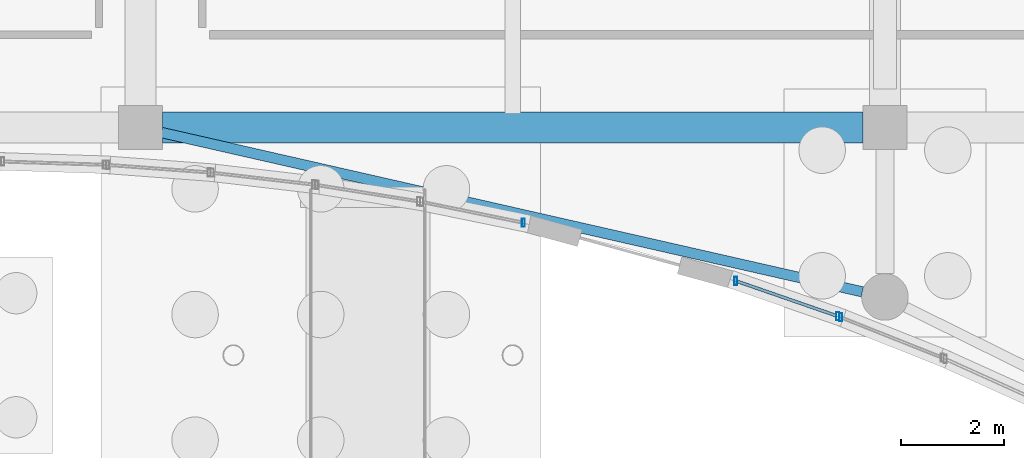
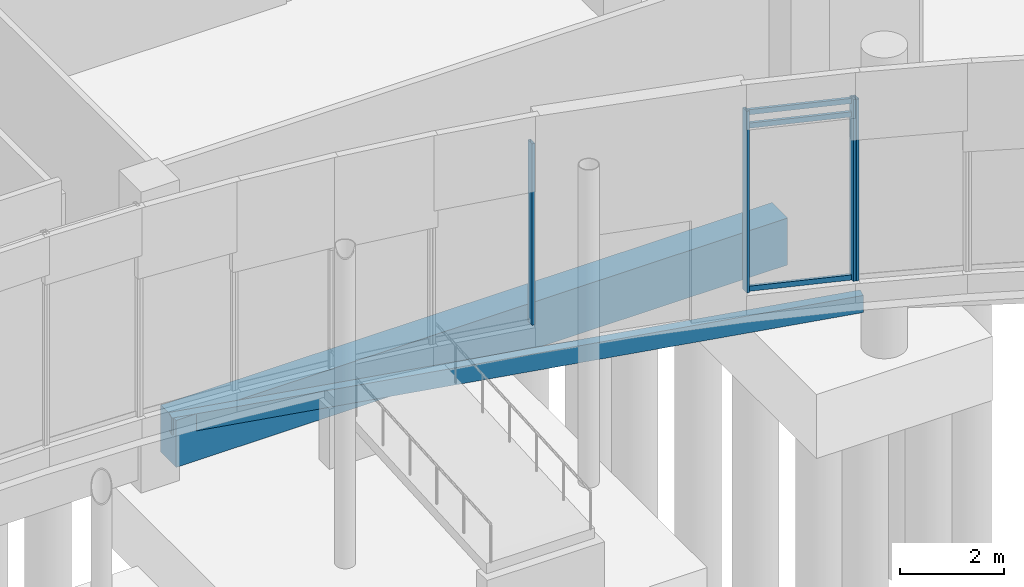
# One storey, part 52 of 192: 7 members, 2 beams, 3 elements without a shape of their own.
"""IFC4 building model written with IfcOpenShell, lengths in metres."""

import ifcopenshell
import ifcopenshell.guid

model = None  # the IFC model being written
_history = None  # IfcOwnerHistory: only IFC2X3 demands one
_inside = {}  # id of a spatial element -> (the spatial element, [elements in it])
_under = {}  # id of a project, library or spatial element -> (it, [spatial elements below it])
_declared = {}  # id of a project -> (the project, [libraries it declares])
_typed = {}  # id of a type object -> (the type object, [elements of that type])
_made_of = {}  # id of a material, layer set ... -> (it, [elements and type objects made of it])


def new_model(schema):
    """Start an empty IFC model of exactly this schema.

    Asked for "IFC4X3", IfcOpenShell would pick the latest addendum, in which some entities
    have other attributes; the version numbers below select the first issue.
    IFC2X3 requires an IfcOwnerHistory on every rooted entity: one is made here for all.
    """
    global model, _history
    if schema == "IFC4X3":
        model = ifcopenshell.file(schema_version=(4, 3, 0, 0))
    else:
        model = ifcopenshell.file(schema=schema)
    _inside.clear()
    _under.clear()
    _declared.clear()
    _typed.clear()
    _made_of.clear()
    _history = None
    if model.schema == "IFC2X3":
        org = make("IfcOrganization", Name="unknown")
        user = make(
            "IfcPersonAndOrganization",
            ThePerson=make("IfcPerson", FamilyName="unknown"),
            TheOrganization=org,
        )
        app = make(
            "IfcApplication",
            ApplicationDeveloper=org,
            Version="unknown",
            ApplicationFullName="unknown",
            ApplicationIdentifier="unknown",
        )
        _history = make(
            "IfcOwnerHistory",
            OwningUser=user,
            OwningApplication=app,
            ChangeAction="ADDED",
            CreationDate=0,
        )
    return model


def make(cls, **values):
    """One entity of the class cls with the attributes given. An attribute that is None is left unset."""
    return model.create_entity(
        cls, **{name: value for name, value in values.items() if value is not None}
    )


def rooted(cls, **values):
    """An entity with a GlobalId (a new one), such as an element, a storey or a relation."""
    return make(cls, GlobalId=ifcopenshell.guid.new(), OwnerHistory=_history, **values)


def si_unit(unit_type, name, prefix=None):
    """IfcSIUnit, for example si_unit("LENGTHUNIT", "METRE", prefix="MILLI")."""
    return make("IfcSIUnit", UnitType=unit_type, Prefix=prefix, Name=name)


def assignment(units):
    """IfcUnitAssignment: the units of a project."""
    return None if units is None else make("IfcUnitAssignment", Units=units)


def point(xyz):
    """IfcCartesianPoint."""
    return None if xyz is None else make("IfcCartesianPoint", Coordinates=xyz)


def direction(xyz):
    """IfcDirection."""
    return None if xyz is None else make("IfcDirection", DirectionRatios=xyz)


def frame(location, z_axis=None, x_axis=None):
    """IfcAxis2Placement3D, a coordinate frame: its origin and axes. An axis left out is left unset."""
    return make(
        "IfcAxis2Placement3D",
        Location=point(location),
        Axis=direction(z_axis),
        RefDirection=direction(x_axis),
    )


def frame_2d(location, x_axis=None):
    """IfcAxis2Placement2D, a coordinate frame in the plane: its origin and x axis."""
    return make(
        "IfcAxis2Placement2D", Location=point(location), RefDirection=direction(x_axis)
    )


def origin():
    """The frame at (0, 0, 0) with its axes left unset."""
    return frame((0.0, 0.0, 0.0))


def origin_2d():
    """The frame at (0, 0) in the plane with its x axis left unset."""
    return frame_2d((0.0, 0.0))


def place(relative_to, where):
    """IfcLocalPlacement: puts the frame where relative to a parent placement (None: the world)."""
    return make(
        "IfcLocalPlacement", PlacementRelTo=relative_to, RelativePlacement=where
    )


def context(
    kind, dimensions, precision=None, world=None, true_north=None, identifier=None
):
    """IfcGeometricRepresentationContext, for example the 3D "Model" context."""
    return make(
        "IfcGeometricRepresentationContext",
        ContextIdentifier=identifier,
        ContextType=kind,
        CoordinateSpaceDimension=dimensions,
        Precision=precision,
        WorldCoordinateSystem=world,
        TrueNorth=true_north,
    )


def subcontext(parent, identifier, kind, view, scale=None):
    """IfcGeometricRepresentationSubContext, for example "Body" below "Model"."""
    return make(
        "IfcGeometricRepresentationSubContext",
        ContextIdentifier=identifier,
        ContextType=kind,
        ParentContext=parent,
        TargetScale=scale,
        TargetView=view,
    )


def project(units=None, contexts=None):
    """IfcProject with its units and contexts."""
    return rooted(
        "IfcProject",
        Name="project",
        RepresentationContexts=contexts,
        UnitsInContext=assignment(units),
    )


def spatial(cls, under=None, at=None, **own):
    """A site, building, storey or space (cls), placed at a placement, below another one or the project."""
    s = rooted(cls, ObjectPlacement=at, **own)
    if under is not None:
        _under.setdefault(under.id(), (under, []))[1].append(s)
    return s


def profile(cls, at=None, kind="AREA", **sizes):
    """A parametric profile (cls). Its sizes go by their IFC names, for example OverallWidth=200.0."""
    return make(cls, ProfileType=kind, Position=at, **sizes)


def rectangle(**sizes):
    """IfcRectangleProfileDef."""
    return profile("IfcRectangleProfileDef", **sizes)


def hollow_rectangle(**sizes):
    """IfcRectangleHollowProfileDef."""
    return profile("IfcRectangleHollowProfileDef", **sizes)


def extrude(swept, where, along, depth):
    """IfcExtrudedAreaSolid: the profile swept, set in the frame where, extruded along a direction by depth."""
    return make(
        "IfcExtrudedAreaSolid",
        SweptArea=swept,
        Position=where,
        ExtrudedDirection=direction(along),
        Depth=depth,
    )


def shape(context_of_items, identifier, shape_type, items):
    """IfcShapeRepresentation: the items that make up one representation, for example the "Body"."""
    return make(
        "IfcShapeRepresentation",
        ContextOfItems=context_of_items,
        RepresentationIdentifier=identifier,
        RepresentationType=shape_type,
        Items=items,
    )


def material(Name=None, Category=None):
    """IfcMaterial."""
    return make("IfcMaterial", Name=Name, Category=Category)


def material_profile(
    of_material, cross_section, Name=None, Category=None, Priority=None
):
    """IfcMaterialProfile: a cross section and its material."""
    return make(
        "IfcMaterialProfile",
        Name=Name,
        Material=of_material,
        Profile=cross_section,
        Priority=Priority,
        Category=Category,
    )


def profile_set(profiles, Name=None, composite=None):
    """IfcMaterialProfileSet."""
    return make(
        "IfcMaterialProfileSet",
        Name=Name,
        MaterialProfiles=profiles,
        CompositeProfile=composite,
    )


def made_of(thing, what):
    """Note that an element or type object is made of a material, layer set ...; save() writes the relation."""
    if what is not None:
        _made_of.setdefault(what.id(), (what, []))[1].append(thing)
    return thing


def type_object(cls, material=None, **own):
    """A type object (cls), such as IfcWallType, which elements share."""
    return made_of(rooted(cls, **own), material)


def element(
    cls,
    number,
    at=None,
    inside=None,
    cuts=None,
    type_object=None,
    material=None,
    context=None,
    identifier="Body",
    shape_type=None,
    held_by="IfcProductDefinitionShape",
    body=None,
    shapes=None,
    **own,
):
    """One element of the class cls, such as IfcWall. Its Tag is "e" and its number.

    at: its placement. inside: the storey or other place that contains it. cuts: it is an
    opening in that element (IfcRelVoidsElement). A single representation is given by context,
    identifier, shape_type and body (its items); several are given by shapes. held_by: the class
    of the entity that holds the representations. save() writes the other relations.
    """
    e = rooted(cls, Tag="e%d" % number, ObjectPlacement=at, **own)
    if body is not None:
        shapes = [shape(context, identifier, shape_type, body)]
    if shapes is not None:
        e.Representation = make(held_by, Representations=shapes)
    if inside is not None:
        _inside.setdefault(inside.id(), (inside, []))[1].append(e)
    if cuts is not None:
        rooted(
            "IfcRelVoidsElement", RelatingBuildingElement=cuts, RelatedOpeningElement=e
        )
    if type_object is not None:
        _typed.setdefault(type_object.id(), (type_object, []))[1].append(e)
    return made_of(e, material)


def aggregate(whole, parts):
    """IfcRelAggregates: a whole, such as a stair, and the parts it consists of."""
    return rooted("IfcRelAggregates", RelatingObject=whole, RelatedObjects=parts)


def save(model, path):
    """Write the relations noted so far, then the file.

    IfcRelAggregates (storeys below a building ...), IfcRelContainedInSpatialStructure (elements
    in a storey), IfcRelDefinesByType, IfcRelAssociatesMaterial and IfcRelDeclares: one each for
    every whole, place, type object, material and project.
    """
    for whole, parts in _under.values():
        aggregate(whole, parts)
    for where, things in _inside.values():
        rooted(
            "IfcRelContainedInSpatialStructure",
            RelatedElements=things,
            RelatingStructure=where,
        )
    for kind, things in _typed.values():
        rooted("IfcRelDefinesByType", RelatedObjects=things, RelatingType=kind)
    for what, things in _made_of.values():
        rooted("IfcRelAssociatesMaterial", RelatedObjects=things, RelatingMaterial=what)
    for by, libraries in _declared.values():
        rooted("IfcRelDeclares", RelatingContext=by, RelatedDefinitions=libraries)
    model.write(path)


model = new_model("IFC4")

# Units and contexts
model_context = context("Model", 3, precision=1e-05, world=origin(), true_north=direction((0.0, 1.0)))
body_context = subcontext(model_context, "Body", "Model", "MODEL_VIEW")
ifc_project = project(units=[si_unit("LENGTHUNIT", "METRE"), si_unit("AREAUNIT", "SQUARE_METRE"), si_unit("VOLUMEUNIT", "CUBIC_METRE"), si_unit("PLANEANGLEUNIT", "RADIAN"), si_unit("MASSUNIT", "GRAM", prefix="KILO")], contexts=[model_context])

# Site, building, storey
site_placement = place(None, origin())
site = spatial("IfcSite", under=ifc_project, at=site_placement, CompositionType="ELEMENT")
building_placement = place(site_placement, origin())
building = spatial("IfcBuilding", under=site, at=building_placement, Name="Cendralis Lancet Convention Centre", CompositionType="ELEMENT")
storey_placement = place(building_placement, origin())
storey = spatial("IfcBuildingStorey", under=building, at=storey_placement, Name="L00", CompositionType="ELEMENT", Elevation=0.0)

# Curtain wall, member
ifc_material_1 = material(Name="Anodised bronze architectural aluminium", Category="aluminium")
curtain_wall_type = type_object("IfcCurtainWallType", Name="ARC-CW-WF01", PredefinedType="USERDEFINED", material=ifc_material_1)
curtain_wall_1_placement = place(storey_placement, origin())
curtain_wall_1 = element("IfcCurtainWall", 1, at=curtain_wall_1_placement, inside=storey, type_object=curtain_wall_type, Name="L00 Curtain Wall CW-WF1 #049", ObjectType="CURTAIN WALL", PredefinedType="USERDEFINED")
ifc_material_profile_1 = material_profile(ifc_material_1, hollow_rectangle(XDim=0.06005859375, YDim=0.159912109375, WallThickness=0.00390625, at=origin_2d()), Name="AL-MULL 60x160x4.0")
ifc_profile_set_1 = profile_set([ifc_material_profile_1], Name="Anodised bronze architectural aluminium")
member_type_1 = type_object("IfcMemberType", Name="ARC-CW-ML01", PredefinedType="MULLION", material=ifc_profile_set_1)
member_1_placement = place(storey_placement, frame((115.40869140625, 12.56201171875, 0.449951171875), z_axis=(0.0, 0.0, 1.0), x_axis=(1.0, 0.0, 0.0)))
member_1 = element("IfcMember", 2, at=member_1_placement, type_object=member_type_1, Name="Mullion CW2-CW-WF1-L00-049-M1", PredefinedType="MULLION", context=body_context, shape_type="SweptSolid", body=[
    extrude(hollow_rectangle(XDim=0.06005859375, YDim=0.159912109375, WallThickness=0.00390625, at=origin_2d()), origin(), (0.0, 0.0, 1.0), 4.255126953125),
])
aggregate(curtain_wall_1, [member_1])

# Curtain wall, members
curtain_wall_2_placement = place(storey_placement, origin())
curtain_wall_2 = element("IfcCurtainWall", 3, at=curtain_wall_2_placement, inside=storey, type_object=curtain_wall_type, Name="L00 Curtain Wall CW-WF1 #050", ObjectType="CURTAIN WALL", PredefinedType="USERDEFINED")
member_2_placement = place(storey_placement, frame((119.517333984375, 11.437255859375, 0.449951171875), z_axis=(0.0, 0.0, 1.0), x_axis=(1.0, 0.0, 0.0)))
member_2 = element("IfcMember", 4, at=member_2_placement, type_object=member_type_1, Name="Mullion CW2-CW-WF1-L00-050-M0", PredefinedType="MULLION", context=body_context, shape_type="SweptSolid", body=[
    extrude(hollow_rectangle(XDim=0.06005859375, YDim=0.159912109375, WallThickness=0.00390625, at=origin_2d()), origin(), (0.0, 0.0, 1.0), 4.255126953125),
])
member_3_placement = place(storey_placement, frame((121.485595703125, 10.755859375, 0.449951171875), z_axis=(0.0, 0.0, 1.0), x_axis=(1.0, 0.0, 0.0)))
member_3 = element("IfcMember", 5, at=member_3_placement, type_object=member_type_1, Name="Mullion CW2-CW-WF1-L00-050-M1", PredefinedType="MULLION", context=body_context, shape_type="SweptSolid", body=[
    extrude(hollow_rectangle(XDim=0.06005859375, YDim=0.159912109375, WallThickness=0.00390625, at=origin_2d()), origin(), (0.0, 0.0, 1.0), 4.255126953125),
])

# Curtain wall, member
curtain_wall_3_placement = place(storey_placement, origin())
curtain_wall_3 = element("IfcCurtainWall", 6, at=curtain_wall_3_placement, inside=storey, type_object=curtain_wall_type, Name="L00 Curtain Wall CW-WF1 #051", ObjectType="CURTAIN WALL", PredefinedType="USERDEFINED")
member_4_placement = place(storey_placement, frame((121.5419921875, 10.73486328125, 0.449951171875), z_axis=(0.0, 0.0, 1.0), x_axis=(1.0, 0.0, 0.0)))
member_4 = element("IfcMember", 7, at=member_4_placement, type_object=member_type_1, Name="Mullion CW2-CW-WF1-L00-051-M0", PredefinedType="MULLION", context=body_context, shape_type="SweptSolid", body=[
    extrude(hollow_rectangle(XDim=0.06005859375, YDim=0.159912109375, WallThickness=0.00390625, at=origin_2d()), origin(), (0.0, 0.0, 1.0), 4.255126953125),
])
aggregate(curtain_wall_3, [member_4])

# Member
ifc_material_profile_2 = material_profile(ifc_material_1, hollow_rectangle(XDim=0.06005859375, YDim=0.1201171875, WallThickness=0.00390625, at=origin_2d()), Name="AL-TRAN 60x120x4.0")
ifc_profile_set_2 = profile_set([ifc_material_profile_2], Name="Anodised bronze architectural aluminium")
member_type_2 = type_object("IfcMemberType", Name="ARC-CW-TR01", PredefinedType="USERDEFINED", material=ifc_profile_set_2)
member_5_placement = place(storey_placement, frame((119.545654296875, 11.427490234375, 0.510009765625), z_axis=(0.944963113871, -0.327176883998, 0.0), x_axis=(0.327176883998, 0.944963113871, 0.0)))
member_5 = element("IfcMember", 8, at=member_5_placement, type_object=member_type_2, Name="Transom CW2-CW-WF1-L00-050-T0BOT", ObjectType="TRANSOM", PredefinedType="USERDEFINED", context=body_context, shape_type="SweptSolid", body=[
    extrude(hollow_rectangle(XDim=0.06005859375, YDim=0.1201171875, WallThickness=0.00390625, at=origin_2d()), origin(), (0.0, 0.0, 1.0), 2.02294921875),
])

member_6_placement = place(storey_placement, frame((119.545654296875, 11.427490234375, 4.330078125), z_axis=(0.944963113871, -0.327176883998, 0.0), x_axis=(0.327176883998, 0.944963113871, 0.0)))
member_6 = element("IfcMember", 9, at=member_6_placement, type_object=member_type_2, Name="Transom CW2-CW-WF1-L00-050-T0MID", ObjectType="TRANSOM", PredefinedType="USERDEFINED", context=body_context, shape_type="SweptSolid", body=[
    extrude(hollow_rectangle(XDim=0.06005859375, YDim=0.1201171875, WallThickness=0.00390625, at=origin_2d()), origin(), (0.0, 0.0, 1.0), 2.02294921875),
])

member_7_placement = place(storey_placement, frame((119.545654296875, 11.427490234375, 4.64501953125), z_axis=(0.944963113871, -0.327176883998, 0.0), x_axis=(0.327176883998, 0.944963113871, 0.0)))
member_7 = element("IfcMember", 10, at=member_7_placement, type_object=member_type_2, Name="Transom CW2-CW-WF1-L00-050-T0TOP", ObjectType="TRANSOM", PredefinedType="USERDEFINED", context=body_context, shape_type="SweptSolid", body=[
    extrude(hollow_rectangle(XDim=0.06005859375, YDim=0.1201171875, WallThickness=0.00390625, at=origin_2d()), origin(), (0.0, 0.0, 1.0), 2.02294921875),
])

aggregate(curtain_wall_2, [member_2, member_3, member_5, member_6, member_7])

# Beams
ifc_material_2 = material(Name="Concrete G40 (C40/50)", Category="concrete")
ifc_material_profile_3 = material_profile(ifc_material_2, rectangle(XDim=0.60009765625, YDim=1.10009765625, at=origin_2d()), Name="RCB 600x1100")
ifc_profile_set_3 = profile_set([ifc_material_profile_3], Name="Concrete G40 (C40/50)")
beam_type_1 = type_object("IfcBeamType", Name="STR-BM-BG02", PredefinedType="BEAM", material=ifc_profile_set_3)
beam_1_placement = place(storey_placement, frame((108.425048828125, 14.39990234375, -0.8701171875), z_axis=(1.0, 0.0, 0.0), x_axis=(0.0, 1.0, 0.0)))
element("IfcBeam", 11, at=beam_1_placement, inside=storey, type_object=beam_type_1, Name="L00 Beam BG02 #0670", PredefinedType="BEAM", context=body_context, shape_type="SweptSolid", body=[
    extrude(rectangle(XDim=0.60009765625, YDim=1.10009765625, at=origin_2d()), origin(), (0.0, 0.0, 1.0), 13.550048828125),
])
ifc_material_3 = material(Name="Steel S355", Category="steel")
ifc_material_profile_4 = material_profile(ifc_material_3, hollow_rectangle(XDim=0.199951171875, YDim=0.39990234375, WallThickness=0.01416015625, at=origin_2d()), Name="RHS 400x200x14.2")
ifc_profile_set_4 = profile_set([ifc_material_profile_4], Name="Steel S355")
beam_type_2 = type_object("IfcBeamType", Name="STR-SP-SP03", PredefinedType="SPANDREL", material=ifc_profile_set_4)
beam_2_placement = place(storey_placement, frame((108.414306640625, 14.305908203125, -0.52001953125), z_axis=(0.975124914238, -0.221656043528, 0.0), x_axis=(0.221656043528, 0.975124914238, 0.0)))
element("IfcBeam", 12, at=beam_2_placement, inside=storey, type_object=beam_type_2, Name="L00 Beam SP03 #1038", PredefinedType="SPANDREL", context=body_context, shape_type="SweptSolid", body=[
    extrude(hollow_rectangle(XDim=0.199951171875, YDim=0.39990234375, WallThickness=0.01416015625, at=origin_2d()), origin(), (0.0, 0.0, 1.0), 13.892333984375),
])

save(model, "model.ifc")
